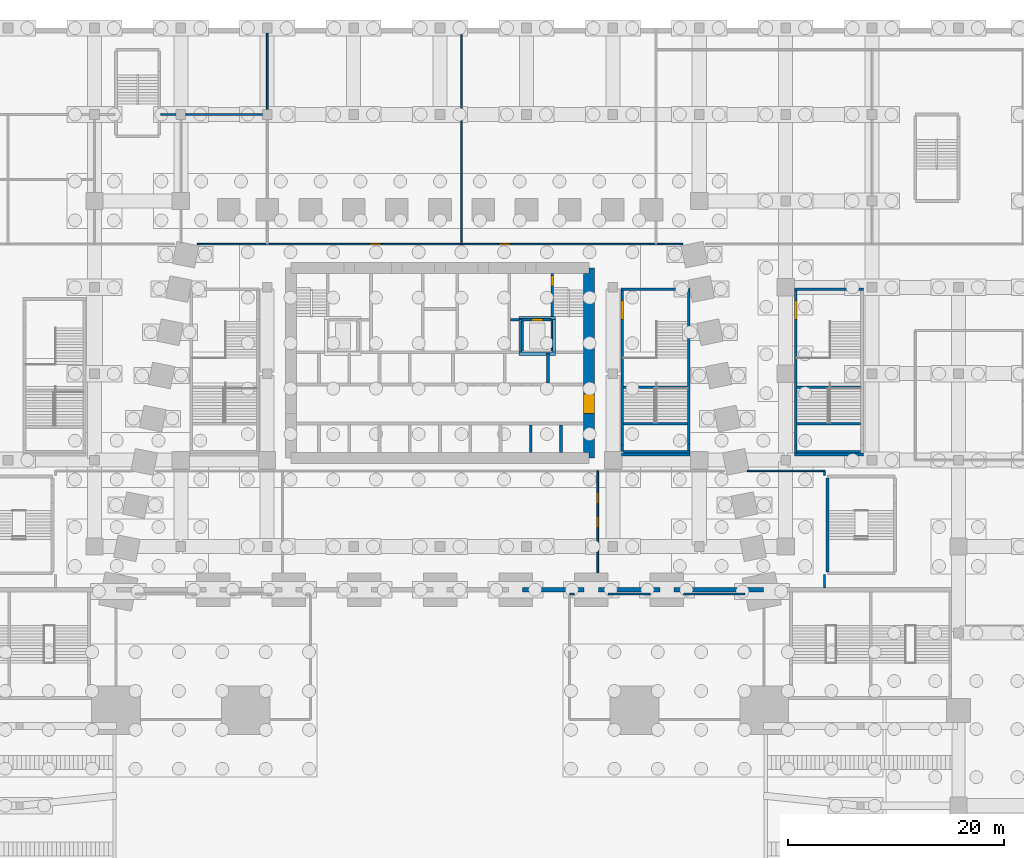
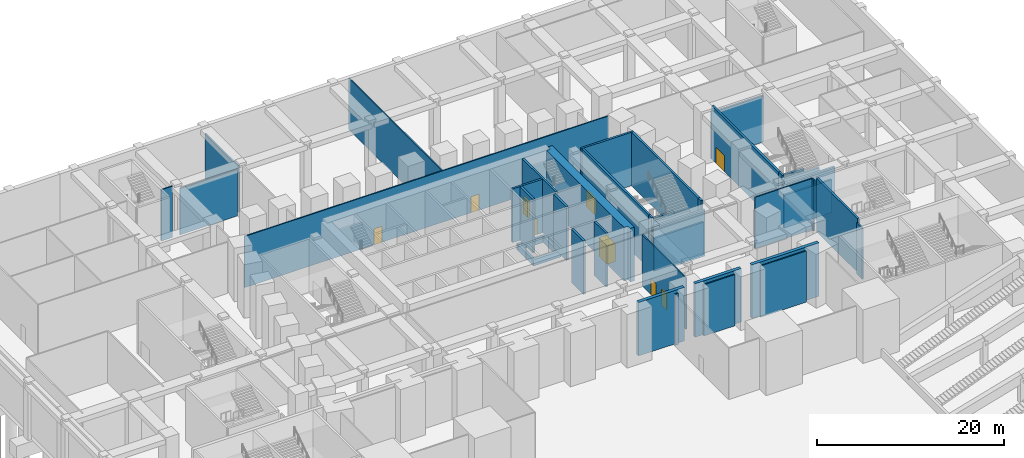
# One storey, part 12 of 30: 43 walls, 9 doors, 9 openings.
"""IFC4 building model written with IfcOpenShell, lengths in metres."""

import ifcopenshell
import ifcopenshell.guid

model = None  # the IFC model being written
_history = None  # IfcOwnerHistory: only IFC2X3 demands one
_inside = {}  # id of a spatial element -> (the spatial element, [elements in it])
_under = {}  # id of a project, library or spatial element -> (it, [spatial elements below it])
_declared = {}  # id of a project -> (the project, [libraries it declares])
_typed = {}  # id of a type object -> (the type object, [elements of that type])
_made_of = {}  # id of a material, layer set ... -> (it, [elements and type objects made of it])


def new_model(schema):
    """Start an empty IFC model of exactly this schema.

    Asked for "IFC4X3", IfcOpenShell would pick the latest addendum, in which some entities
    have other attributes; the version numbers below select the first issue.
    IFC2X3 requires an IfcOwnerHistory on every rooted entity: one is made here for all.
    """
    global model, _history
    if schema == "IFC4X3":
        model = ifcopenshell.file(schema_version=(4, 3, 0, 0))
    else:
        model = ifcopenshell.file(schema=schema)
    _inside.clear()
    _under.clear()
    _declared.clear()
    _typed.clear()
    _made_of.clear()
    _history = None
    if model.schema == "IFC2X3":
        org = make("IfcOrganization", Name="unknown")
        user = make(
            "IfcPersonAndOrganization",
            ThePerson=make("IfcPerson", FamilyName="unknown"),
            TheOrganization=org,
        )
        app = make(
            "IfcApplication",
            ApplicationDeveloper=org,
            Version="unknown",
            ApplicationFullName="unknown",
            ApplicationIdentifier="unknown",
        )
        _history = make(
            "IfcOwnerHistory",
            OwningUser=user,
            OwningApplication=app,
            ChangeAction="ADDED",
            CreationDate=0,
        )
    return model


def make(cls, **values):
    """One entity of the class cls with the attributes given. An attribute that is None is left unset."""
    return model.create_entity(
        cls, **{name: value for name, value in values.items() if value is not None}
    )


def rooted(cls, **values):
    """An entity with a GlobalId (a new one), such as an element, a storey or a relation."""
    return make(cls, GlobalId=ifcopenshell.guid.new(), OwnerHistory=_history, **values)


def si_unit(unit_type, name, prefix=None):
    """IfcSIUnit, for example si_unit("LENGTHUNIT", "METRE", prefix="MILLI")."""
    return make("IfcSIUnit", UnitType=unit_type, Prefix=prefix, Name=name)


def assignment(units):
    """IfcUnitAssignment: the units of a project."""
    return None if units is None else make("IfcUnitAssignment", Units=units)


def point(xyz):
    """IfcCartesianPoint."""
    return None if xyz is None else make("IfcCartesianPoint", Coordinates=xyz)


def direction(xyz):
    """IfcDirection."""
    return None if xyz is None else make("IfcDirection", DirectionRatios=xyz)


def frame(location, z_axis=None, x_axis=None):
    """IfcAxis2Placement3D, a coordinate frame: its origin and axes. An axis left out is left unset."""
    return make(
        "IfcAxis2Placement3D",
        Location=point(location),
        Axis=direction(z_axis),
        RefDirection=direction(x_axis),
    )


def frame_2d(location, x_axis=None):
    """IfcAxis2Placement2D, a coordinate frame in the plane: its origin and x axis."""
    return make(
        "IfcAxis2Placement2D", Location=point(location), RefDirection=direction(x_axis)
    )


def origin():
    """The frame at (0, 0, 0) with its axes left unset."""
    return frame((0.0, 0.0, 0.0))


def place(relative_to, where):
    """IfcLocalPlacement: puts the frame where relative to a parent placement (None: the world)."""
    return make(
        "IfcLocalPlacement", PlacementRelTo=relative_to, RelativePlacement=where
    )


def context(
    kind, dimensions, precision=None, world=None, true_north=None, identifier=None
):
    """IfcGeometricRepresentationContext, for example the 3D "Model" context."""
    return make(
        "IfcGeometricRepresentationContext",
        ContextIdentifier=identifier,
        ContextType=kind,
        CoordinateSpaceDimension=dimensions,
        Precision=precision,
        WorldCoordinateSystem=world,
        TrueNorth=true_north,
    )


def subcontext(parent, identifier, kind, view, scale=None):
    """IfcGeometricRepresentationSubContext, for example "Body" below "Model"."""
    return make(
        "IfcGeometricRepresentationSubContext",
        ContextIdentifier=identifier,
        ContextType=kind,
        ParentContext=parent,
        TargetScale=scale,
        TargetView=view,
    )


def project(units=None, contexts=None):
    """IfcProject with its units and contexts."""
    return rooted(
        "IfcProject",
        Name="project",
        RepresentationContexts=contexts,
        UnitsInContext=assignment(units),
    )


def spatial(cls, under=None, at=None, **own):
    """A site, building, storey or space (cls), placed at a placement, below another one or the project."""
    s = rooted(cls, ObjectPlacement=at, **own)
    if under is not None:
        _under.setdefault(under.id(), (under, []))[1].append(s)
    return s


def polyline(points):
    """IfcPolyline through the points."""
    return make("IfcPolyline", Points=[point(p) for p in points])


def profile(cls, at=None, kind="AREA", **sizes):
    """A parametric profile (cls). Its sizes go by their IFC names, for example OverallWidth=200.0."""
    return make(cls, ProfileType=kind, Position=at, **sizes)


def rectangle(**sizes):
    """IfcRectangleProfileDef."""
    return profile("IfcRectangleProfileDef", **sizes)


def outline(outer, holes=None, kind="AREA"):
    """IfcArbitraryClosedProfileDef: a profile drawn as a closed curve; with holes, ...WithVoids."""
    if holes is None:
        return make("IfcArbitraryClosedProfileDef", ProfileType=kind, OuterCurve=outer)
    return make(
        "IfcArbitraryProfileDefWithVoids",
        ProfileType=kind,
        OuterCurve=outer,
        InnerCurves=holes,
    )


def extrude(swept, where, along, depth):
    """IfcExtrudedAreaSolid: the profile swept, set in the frame where, extruded along a direction by depth."""
    return make(
        "IfcExtrudedAreaSolid",
        SweptArea=swept,
        Position=where,
        ExtrudedDirection=direction(along),
        Depth=depth,
    )


def shape(context_of_items, identifier, shape_type, items):
    """IfcShapeRepresentation: the items that make up one representation, for example the "Body"."""
    return make(
        "IfcShapeRepresentation",
        ContextOfItems=context_of_items,
        RepresentationIdentifier=identifier,
        RepresentationType=shape_type,
        Items=items,
    )


def material(Name=None, Category=None):
    """IfcMaterial."""
    return make("IfcMaterial", Name=Name, Category=Category)


def layer(
    of_material, thickness, ventilated=None, Name=None, Category=None, Priority=None
):
    """IfcMaterialLayer: one layer of a wall or slab, of a material (None: an air gap)."""
    return make(
        "IfcMaterialLayer",
        Material=of_material,
        LayerThickness=thickness,
        IsVentilated=ventilated,
        Name=Name,
        Category=Category,
        Priority=Priority,
    )


def layer_set(layers, Name=None):
    """IfcMaterialLayerSet."""
    return make("IfcMaterialLayerSet", MaterialLayers=layers, LayerSetName=Name)


def made_of(thing, what):
    """Note that an element or type object is made of a material, layer set ...; save() writes the relation."""
    if what is not None:
        _made_of.setdefault(what.id(), (what, []))[1].append(thing)
    return thing


def type_object(cls, material=None, **own):
    """A type object (cls), such as IfcWallType, which elements share."""
    return made_of(rooted(cls, **own), material)


def element(
    cls,
    number,
    at=None,
    inside=None,
    cuts=None,
    type_object=None,
    material=None,
    context=None,
    identifier="Body",
    shape_type=None,
    held_by="IfcProductDefinitionShape",
    body=None,
    shapes=None,
    **own,
):
    """One element of the class cls, such as IfcWall. Its Tag is "e" and its number.

    at: its placement. inside: the storey or other place that contains it. cuts: it is an
    opening in that element (IfcRelVoidsElement). A single representation is given by context,
    identifier, shape_type and body (its items); several are given by shapes. held_by: the class
    of the entity that holds the representations. save() writes the other relations.
    """
    e = rooted(cls, Tag="e%d" % number, ObjectPlacement=at, **own)
    if body is not None:
        shapes = [shape(context, identifier, shape_type, body)]
    if shapes is not None:
        e.Representation = make(held_by, Representations=shapes)
    if inside is not None:
        _inside.setdefault(inside.id(), (inside, []))[1].append(e)
    if cuts is not None:
        rooted(
            "IfcRelVoidsElement", RelatingBuildingElement=cuts, RelatedOpeningElement=e
        )
    if type_object is not None:
        _typed.setdefault(type_object.id(), (type_object, []))[1].append(e)
    return made_of(e, material)


def fill(opening, filler):
    """IfcRelFillsElement: the door or window that sits in an opening."""
    return rooted(
        "IfcRelFillsElement",
        RelatingOpeningElement=opening,
        RelatedBuildingElement=filler,
    )


def aggregate(whole, parts):
    """IfcRelAggregates: a whole, such as a stair, and the parts it consists of."""
    return rooted("IfcRelAggregates", RelatingObject=whole, RelatedObjects=parts)


def save(model, path):
    """Write the relations noted so far, then the file.

    IfcRelAggregates (storeys below a building ...), IfcRelContainedInSpatialStructure (elements
    in a storey), IfcRelDefinesByType, IfcRelAssociatesMaterial and IfcRelDeclares: one each for
    every whole, place, type object, material and project.
    """
    for whole, parts in _under.values():
        aggregate(whole, parts)
    for where, things in _inside.values():
        rooted(
            "IfcRelContainedInSpatialStructure",
            RelatedElements=things,
            RelatingStructure=where,
        )
    for kind, things in _typed.values():
        rooted("IfcRelDefinesByType", RelatedObjects=things, RelatingType=kind)
    for what, things in _made_of.values():
        rooted("IfcRelAssociatesMaterial", RelatedObjects=things, RelatingMaterial=what)
    for by, libraries in _declared.values():
        rooted("IfcRelDeclares", RelatingContext=by, RelatedDefinitions=libraries)
    model.write(path)


model = new_model("IFC4")

# Units and contexts
model_context = context("Model", 3, precision=1e-05, world=origin(), true_north=direction((0.0, 1.0)))
body_context = subcontext(model_context, "Body", "Model", "MODEL_VIEW")
ifc_project = project(units=[si_unit("LENGTHUNIT", "METRE"), si_unit("AREAUNIT", "SQUARE_METRE"), si_unit("VOLUMEUNIT", "CUBIC_METRE"), si_unit("PLANEANGLEUNIT", "RADIAN"), si_unit("MASSUNIT", "GRAM", prefix="KILO")], contexts=[model_context])

# Site, building, storey
site_placement = place(None, origin())
site = spatial("IfcSite", under=ifc_project, at=site_placement, CompositionType="ELEMENT")
building_placement = place(site_placement, origin())
building = spatial("IfcBuilding", under=site, at=building_placement, Name="Isbrekke Arena Tower", CompositionType="ELEMENT")
storey_placement = place(building_placement, frame((0.0, 0.0, -7.0)))
storey = spatial("IfcBuildingStorey", under=building, at=storey_placement, Name="B1", CompositionType="ELEMENT", Elevation=-7.0)

# Walls
ifc_material_1 = material(Name="Concrete B45 (C45/55)", Category="concrete")
ifc_layer_1 = layer(ifc_material_1, 0.39990234375)
ifc_layer_set_1 = layer_set([ifc_layer_1], Name="AW1 ARENA WALL 400")
wall_type_1 = type_object("IfcWallType", Name="AW1 ARENA WALL 400", PredefinedType="SHEAR", material=ifc_layer_set_1)
for number, where, z_axis, x_axis, name in (
    (1, (7.64990234375, -6.0, 0.0), (0.0, 0.0, 1.0), (1.0, 0.0, 0.0), "Arena north wall 7"),
    (2, (14.64990234375, -6.0, 0.0), (0.0, 0.0, 1.0), (1.0, 0.0, 0.0), "Arena north wall 8"),
):
    element("IfcWall", number, at=place(storey_placement, frame(where, z_axis=z_axis, x_axis=x_axis)), inside=storey, type_object=wall_type_1, Name=name, PredefinedType="SHEAR", context=body_context, shape_type="SweptSolid", body=[
        extrude(rectangle(XDim=5.7001953125, YDim=0.39990234375, at=frame_2d((2.85009765625, 0.0))), origin(), (0.0, 0.0, 1.0), 7.0),
    ])
wall_1_placement = place(storey_placement, frame((21.64990234375, -6.0, 0.0), z_axis=(0.0, 0.0, 1.0), x_axis=(1.0, 0.0, 0.0)))
element("IfcWall", 3, at=wall_1_placement, inside=storey, type_object=wall_type_1, Name="Arena north wall 9", PredefinedType="SHEAR", context=body_context, shape_type="SweptSolid", body=[
    extrude(rectangle(XDim=8.300048828125, YDim=0.39990234375, at=frame_2d((4.14990234375, 0.0))), origin(), (0.0, 0.0, 1.0), 7.0),
])

# Wall, opening, door
ifc_material_2 = material(Name="Concrete B65 (C65/80)", Category="concrete")
ifc_layer_2 = layer(ifc_material_2, 1.0)
ifc_layer_set_2 = layer_set([ifc_layer_2], Name="CW1 CORE WALL 1000")
wall_type_2 = type_object("IfcWallType", Name="CW1 CORE WALL 1000", PredefinedType="SHEAR", material=ifc_layer_set_2)
wall_2_placement = place(storey_placement, frame((13.800048828125, 6.199951171875, 0.0), z_axis=(0.0, 0.0, 1.0), x_axis=(0.0, 1.0, 0.0)))
wall_2 = element("IfcWall", 4, at=wall_2_placement, inside=storey, type_object=wall_type_2, Name="Core wall E B1", PredefinedType="SHEAR", context=body_context, shape_type="SweptSolid", body=[
    extrude(outline(polyline([(0.0, -0.5), (17.60009765625, -0.5), (17.60009765625, 0.0), (17.10009765625, 0.0), (17.10009765625, 0.5), (0.5, 0.5), (0.5, 0.0), (0.0, 0.0), (0.0, -0.5)])), origin(), (0.0, 0.0, 1.0), 7.0),
])
opening_1_placement = place(wall_2_placement, frame((4.10009765625, 0.0, 0.0)))
opening_1 = element("IfcOpeningElement", 5, at=opening_1_placement, cuts=wall_2, Name="Opening D1", PredefinedType="OPENING", context=body_context, shape_type="SweptSolid", body=[
    extrude(rectangle(XDim=1.800048828125, YDim=2.39990234375, at=frame_2d((0.89990234375, 1.199951171875))), frame((0.0, 0.514892578125, 0.0), z_axis=(0.0, -1.0, 0.0), x_axis=(1.0, 0.0, 0.0)), (0.0, 0.0, 1.0), 1.02978515625),
])
ifc_material_3 = material(Name="Steel-framed glazed fire door", Category="steel")
door_type_1 = type_object("IfcDoorType", Name="D1 CORE LOBBY DOOR 1800 x 2400", OperationType="DOUBLE_DOOR_SINGLE_SWING", PredefinedType="DOOR", material=ifc_material_3)
door_1_placement = place(opening_1_placement, origin())
door_1 = element("IfcDoor", 6, at=door_1_placement, inside=storey, type_object=door_type_1, Name="D1 lift lobby door east B1", OperationType="DOUBLE_DOOR_SINGLE_SWING", OverallHeight=2.39990234375, OverallWidth=1.800048828125, PredefinedType="DOOR", context=body_context, shape_type="SweptSolid", body=[
    extrude(rectangle(XDim=1.800048828125, YDim=2.39990234375, at=frame_2d((0.89990234375, 1.199951171875))), frame((0.0, 0.499755859375, 0.0), z_axis=(0.0, -1.0, 0.0), x_axis=(1.0, 0.0, 0.0)), (0.0, 0.0, 1.0), 0.99951171875),
])
fill(opening_1, door_1)

# Walls
ifc_material_4 = material(Name="Concrete B45 (C45/55)", Category="concrete")
ifc_layer_3 = layer(ifc_material_4, 0.25)
ifc_layer_set_3 = layer_set([ifc_layer_3], Name="CW6 SHAFT WALL 250")
wall_type_3 = type_object("IfcWallType", Name="CW6 SHAFT WALL 250", PredefinedType="SHEAR", material=ifc_layer_set_3)
for number, where, z_axis, x_axis, name in (
    (7, (8.39990234375, 6.699951171875, 0.0), (0.0, 0.0, 1.0), (0.0, 1.0, 0.0), "Core wall SS08 B1"),
    (8, (11.199951171875, 6.699951171875, 0.0), (0.0, 0.0, 1.0), (0.0, 1.0, 0.0), "Core wall SS09 B1"),
):
    element("IfcWall", number, at=place(storey_placement, frame(where, z_axis=z_axis, x_axis=x_axis)), inside=storey, type_object=wall_type_3, Name=name, PredefinedType="SHEAR", context=body_context, shape_type="SweptSolid", body=[
        extrude(rectangle(XDim=2.574951171875, YDim=0.25, at=frame_2d((1.28759765625, 0.0))), origin(), (0.0, 0.0, 1.0), 7.0),
    ])
wall_3_placement = place(storey_placement, frame((10.0, 13.125, 0.0), z_axis=(0.0, 0.0, 1.0), x_axis=(0.0, 1.0, 0.0)))
element("IfcWall", 9, at=wall_3_placement, inside=storey, type_object=wall_type_3, Name="Core wall SN07 B1", PredefinedType="SHEAR", context=body_context, shape_type="SweptSolid", body=[
    extrude(rectangle(XDim=2.75, YDim=0.25, at=frame_2d((1.375, 0.0))), origin(), (0.0, 0.0, 1.0), 7.0),
])

# Wall, opening, door
wall_4_placement = place(storey_placement, frame((10.39990234375, 16.125, 0.0), z_axis=(0.0, 0.0, 1.0), x_axis=(0.0, 1.0, 0.0)))
wall_4 = element("IfcWall", 10, at=wall_4_placement, inside=storey, type_object=wall_type_3, Name="Core wall NV06 B1", PredefinedType="SHEAR", context=body_context, shape_type="SweptSolid", body=[
    extrude(rectangle(XDim=7.175048828125, YDim=0.25, at=frame_2d((3.58740234375, 0.0))), origin(), (0.0, 0.0, 1.0), 7.0),
])
opening_2_placement = place(wall_4_placement, frame((5.97509765625, 0.0, 0.0)))
opening_2 = element("IfcOpeningElement", 11, at=opening_2_placement, cuts=wall_4, Name="Opening D2", PredefinedType="OPENING", context=body_context, shape_type="SweptSolid", body=[
    extrude(rectangle(XDim=1.0, YDim=2.10009765625, at=frame_2d((0.5, 1.050048828125))), frame((0.0, 0.139892578125, 0.0), z_axis=(0.0, -1.0, 0.0), x_axis=(1.0, 0.0, 0.0)), (0.0, 0.0, 1.0), 0.27978515625),
])
ifc_material_5 = material(Name="Steel fire door", Category="steel")
door_type_2 = type_object("IfcDoorType", Name="D2 STAIR DOOR 1000 x 2100", OperationType="SINGLE_SWING_LEFT", PredefinedType="DOOR", material=ifc_material_5)
door_2_placement = place(opening_2_placement, origin())
door_2 = element("IfcDoor", 12, at=door_2_placement, inside=storey, type_object=door_type_2, Name="D2 stair door ST2 B1", OperationType="SINGLE_SWING_LEFT", OverallHeight=2.10009765625, OverallWidth=1.0, PredefinedType="DOOR", context=body_context, shape_type="SweptSolid", body=[
    extrude(rectangle(XDim=1.0, YDim=2.10009765625, at=frame_2d((0.5, 1.050048828125))), frame((0.0, 0.124755859375, 0.0), z_axis=(0.0, -1.0, 0.0), x_axis=(1.0, 0.0, 0.0)), (0.0, 0.0, 1.0), 0.24951171875),
])
fill(opening_2, door_2)

wall_5_placement = place(storey_placement, frame((6.52490234375, 19.0, 0.0), z_axis=(0.0, 0.0, 1.0), x_axis=(1.0, 0.0, 0.0)))
wall_5 = element("IfcWall", 13, at=wall_5_placement, inside=storey, type_object=wall_type_3, Name="Core wall NFE B1", PredefinedType="SHEAR", context=body_context, shape_type="SweptSolid", body=[
    extrude(rectangle(XDim=3.75, YDim=0.25, at=frame_2d((1.875, 0.0))), origin(), (0.0, 0.0, 1.0), 7.0),
])
opening_3_placement = place(wall_5_placement, frame((1.925048828125, 0.0, 0.0)))
opening_3 = element("IfcOpeningElement", 14, at=opening_3_placement, cuts=wall_5, Name="Opening LD2", PredefinedType="OPENING", context=body_context, shape_type="SweptSolid", body=[
    extrude(rectangle(XDim=1.10009765625, YDim=2.10009765625, at=frame_2d((0.550048828125, 1.050048828125))), frame((0.0, 0.139892578125, 0.0), z_axis=(0.0, -1.0, 0.0), x_axis=(1.0, 0.0, 0.0)), (0.0, 0.0, 1.0), 0.27978515625),
])
ifc_material_6 = material(Name="Stainless steel lift landing door", Category="steel")
door_type_3 = type_object("IfcDoorType", Name="LD2 FIRE-FIGHTING LIFT LANDING DOOR 1100 x 2100", OperationType="SLIDING_TO_RIGHT", PredefinedType="DOOR", material=ifc_material_6)
door_3_placement = place(opening_3_placement, origin())
door_3 = element("IfcDoor", 15, at=door_3_placement, inside=storey, type_object=door_type_3, Name="LD2 lift landing door LF B1", OperationType="SLIDING_TO_RIGHT", OverallHeight=2.10009765625, OverallWidth=1.10009765625, PredefinedType="DOOR", context=body_context, shape_type="SweptSolid", body=[
    extrude(rectangle(XDim=1.10009765625, YDim=2.10009765625, at=frame_2d((0.550048828125, 1.050048828125))), frame((0.0, 0.124755859375, 0.0), z_axis=(0.0, -1.0, 0.0), x_axis=(1.0, 0.0, 0.0)), (0.0, 0.0, 1.0), 0.24951171875),
])
fill(opening_3, door_3)

# Walls
wall_6_placement = place(storey_placement, frame((7.60009765625, 16.125, 0.0), z_axis=(0.0, 0.0, 1.0), x_axis=(0.0, 1.0, 0.0)))
element("IfcWall", 16, at=wall_6_placement, inside=storey, type_object=wall_type_3, Name="Core wall NFS2 B1", PredefinedType="SHEAR", context=body_context, shape_type="SweptSolid", body=[
    extrude(rectangle(XDim=2.75, YDim=0.25, at=frame_2d((1.375, 0.0))), origin(), (0.0, 0.0, 1.0), 7.0),
])
ifc_material_7 = material(Name="Gypsum board partition on steel studs", Category="steel")
ifc_layer_4 = layer(ifc_material_7, 0.14990234375)
ifc_layer_set_4 = layer_set([ifc_layer_4], Name="IW1 PARTITION 150")
wall_type_4 = type_object("IfcWallType", Name="IW1 PARTITION 150", PredefinedType="PARTITIONING", material=ifc_layer_set_4)
wall_7_placement = place(storey_placement, frame((-16.0, 38.4599609375, 0.0), z_axis=(0.0, 0.0, 1.0), x_axis=(0.0, 1.0, 0.0)))
element("IfcWall", 17, at=wall_7_placement, inside=storey, type_object=wall_type_4, Name="IW1 partition B1", PredefinedType="PARTITIONING", context=body_context, shape_type="SweptSolid", body=[
    extrude(rectangle(XDim=7.080078125, YDim=0.14990234375, at=frame_2d((3.5400390625, 0.0))), origin(), (0.0, 0.0, 1.0), 6.050048828125),
])
wall_8_placement = place(storey_placement, frame((2.0, 26.0, 0.0), z_axis=(0.0, 0.0, 1.0), x_axis=(0.0, 1.0, 0.0)))
element("IfcWall", 18, at=wall_8_placement, inside=storey, type_object=wall_type_4, Name="IW1 partition B1", PredefinedType="PARTITIONING", context=body_context, shape_type="SweptSolid", body=[
    extrude(rectangle(XDim=20.0, YDim=0.14990234375, at=frame_2d((10.0, 0.0))), origin(), (0.0, 0.0, 1.0), 6.699951171875),
])

# Wall, openings, doors
wall_9_placement = place(storey_placement, frame((14.60009765625, -4.43994140625, 0.0), z_axis=(0.0, 0.0, 1.0), x_axis=(0.0, 1.0, 0.0)))
wall_9 = element("IfcWall", 19, at=wall_9_placement, inside=storey, type_object=wall_type_4, Name="IW1 partition B1", PredefinedType="PARTITIONING", context=body_context, shape_type="SweptSolid", body=[
    extrude(rectangle(XDim=9.43994140625, YDim=0.14990234375, at=frame_2d((4.719970703125, 0.0))), origin(), (0.0, 0.0, 1.0), 6.699951171875),
])
opening_4_placement = place(wall_9_placement, frame((4.219970703125, 0.0, 0.0)))
opening_4 = element("IfcOpeningElement", 20, at=opening_4_placement, cuts=wall_9, Name="Opening D6", PredefinedType="OPENING", context=body_context, shape_type="SweptSolid", body=[
    extrude(rectangle(XDim=1.0, YDim=2.10009765625, at=frame_2d((0.5, 1.050048828125))), frame((0.0, 0.08984375, 0.0), z_axis=(0.0, -1.0, 0.0), x_axis=(1.0, 0.0, 0.0)), (0.0, 0.0, 1.0), 0.1796875),
])
opening_5_placement = place(wall_9_placement, frame((6.43994140625, 0.0, 0.0)))
opening_5 = element("IfcOpeningElement", 21, at=opening_5_placement, cuts=wall_9, Name="Opening D6", PredefinedType="OPENING", context=body_context, shape_type="SweptSolid", body=[
    extrude(rectangle(XDim=1.0, YDim=2.10009765625, at=frame_2d((0.5, 1.050048828125))), frame((0.0, 0.08984375, 0.0), z_axis=(0.0, -1.0, 0.0), x_axis=(1.0, 0.0, 0.0)), (0.0, 0.0, 1.0), 0.1796875),
])
ifc_material_8 = material(Name="Timber door", Category="wood")
door_type_4 = type_object("IfcDoorType", Name="D6 ROOM DOOR 1000 x 2100", OperationType="SINGLE_SWING_LEFT", PredefinedType="DOOR", material=ifc_material_8)
door_4_placement = place(opening_4_placement, origin())
door_4 = element("IfcDoor", 22, at=door_4_placement, inside=storey, type_object=door_type_4, Name="D6 door B1-20", OperationType="SINGLE_SWING_LEFT", OverallHeight=2.10009765625, OverallWidth=1.0, PredefinedType="DOOR", context=body_context, shape_type="SweptSolid", body=[
    extrude(rectangle(XDim=1.0, YDim=2.10009765625, at=frame_2d((0.5, 1.050048828125))), frame((0.0, 0.07470703125, 0.0), z_axis=(0.0, -1.0, 0.0), x_axis=(1.0, 0.0, 0.0)), (0.0, 0.0, 1.0), 0.1494140625),
])
fill(opening_4, door_4)
door_5_placement = place(opening_5_placement, origin())
door_5 = element("IfcDoor", 23, at=door_5_placement, inside=storey, type_object=door_type_4, Name="D6 door B1-24", OperationType="SINGLE_SWING_LEFT", OverallHeight=2.10009765625, OverallWidth=1.0, PredefinedType="DOOR", context=body_context, shape_type="SweptSolid", body=[
    extrude(rectangle(XDim=1.0, YDim=2.10009765625, at=frame_2d((0.5, 1.050048828125))), frame((0.0, 0.07470703125, 0.0), z_axis=(0.0, -1.0, 0.0), x_axis=(1.0, 0.0, 0.0)), (0.0, 0.0, 1.0), 0.1494140625),
])
fill(opening_5, door_5)

# Walls
wall_10_placement = place(storey_placement, frame((35.60009765625, -5.800048828125, 0.0), z_axis=(0.0, 0.0, 1.0), x_axis=(0.0, 1.0, 0.0)))
element("IfcWall", 24, at=wall_10_placement, inside=storey, type_object=wall_type_4, Name="IW1 partition B1", PredefinedType="PARTITIONING", context=body_context, shape_type="SweptSolid", body=[
    extrude(rectangle(XDim=1.199951171875, YDim=0.14990234375, at=frame_2d((0.60009765625, 0.0))), origin(), (0.0, 0.0, 1.0), 6.699951171875),
])
wall_11_placement = place(storey_placement, frame((35.60009765625, 4.60009765625, 0.0), z_axis=(0.0, 0.0, 1.0), x_axis=(0.0, 1.0, 0.0)))
element("IfcWall", 25, at=wall_11_placement, inside=storey, type_object=wall_type_4, Name="IW1 partition B1", PredefinedType="PARTITIONING", context=body_context, shape_type="SweptSolid", body=[
    extrude(rectangle(XDim=0.39990234375, YDim=0.14990234375, at=frame_2d((0.199951171875, 0.0))), origin(), (0.0, 0.0, 1.0), 6.699951171875),
])
wall_12_placement = place(storey_placement, frame((12.0, -6.39990234375, 0.0), z_axis=(0.0, 0.0, 1.0), x_axis=(1.0, 0.0, 0.0)))
element("IfcWall", 26, at=wall_12_placement, inside=storey, type_object=wall_type_4, Name="IW1 partition B1", PredefinedType="PARTITIONING", context=body_context, shape_type="SweptSolid", body=[
    extrude(rectangle(XDim=0.43994140625, YDim=0.14990234375, at=frame_2d((0.219970703125, 0.0))), origin(), (0.0, 0.0, 1.0), 6.699951171875),
])
wall_13_placement = place(storey_placement, frame((15.56005859375, -6.39990234375, 0.0), z_axis=(0.0, 0.0, 1.0), x_axis=(1.0, 0.0, 0.0)))
element("IfcWall", 27, at=wall_13_placement, inside=storey, type_object=wall_type_4, Name="IW1 partition B1", PredefinedType="PARTITIONING", context=body_context, shape_type="SweptSolid", body=[
    extrude(rectangle(XDim=3.8798828125, YDim=0.14990234375, at=frame_2d((1.93994140625, 0.0))), origin(), (0.0, 0.0, 1.0), 6.699951171875),
])
wall_14_placement = place(storey_placement, frame((22.56005859375, -6.39990234375, 0.0), z_axis=(0.0, 0.0, 1.0), x_axis=(1.0, 0.0, 0.0)))
element("IfcWall", 28, at=wall_14_placement, inside=storey, type_object=wall_type_4, Name="IW1 partition B1", PredefinedType="PARTITIONING", context=body_context, shape_type="SweptSolid", body=[
    extrude(rectangle(XDim=5.6708984375, YDim=0.14990234375, at=frame_2d((2.83544921875, 0.0))), origin(), (0.0, 0.0, 1.0), 6.699951171875),
])
wall_15_placement = place(storey_placement, frame((28.450927734375, 5.0, 0.0), z_axis=(0.0, 0.0, 1.0), x_axis=(1.0, 0.0, 0.0)))
element("IfcWall", 29, at=wall_15_placement, inside=storey, type_object=wall_type_4, Name="IW1 partition B1", PredefinedType="PARTITIONING", context=body_context, shape_type="SweptSolid", body=[
    extrude(rectangle(XDim=7.149169921875, YDim=0.14990234375, at=frame_2d((3.57470703125, 0.0))), origin(), (0.0, 0.0, 1.0), 6.699951171875),
])

# Wall, openings, doors
wall_16_placement = place(storey_placement, frame((-22.492919921875, 26.0, 0.0), z_axis=(0.0, 0.0, 1.0), x_axis=(1.0, 0.0, 0.0)))
wall_16 = element("IfcWall", 30, at=wall_16_placement, inside=storey, type_object=wall_type_4, Name="IW1 partition B1", PredefinedType="PARTITIONING", context=body_context, shape_type="SweptSolid", body=[
    extrude(rectangle(XDim=44.98583984375, YDim=0.14990234375, at=frame_2d((22.492919921875, 0.0))), origin(), (0.0, 0.0, 1.0), 6.699951171875),
])
opening_6_placement = place(wall_16_placement, frame((15.992919921875, 0.0, 0.0)))
opening_6 = element("IfcOpeningElement", 31, at=opening_6_placement, cuts=wall_16, Name="Opening D6", PredefinedType="OPENING", context=body_context, shape_type="SweptSolid", body=[
    extrude(rectangle(XDim=1.0, YDim=2.10009765625, at=frame_2d((0.5, 1.050048828125))), frame((0.0, 0.08984375, 0.0), z_axis=(0.0, -1.0, 0.0), x_axis=(1.0, 0.0, 0.0)), (0.0, 0.0, 1.0), 0.1796875),
])
opening_7_placement = place(wall_16_placement, frame((27.992919921875, 0.0, 0.0)))
opening_7 = element("IfcOpeningElement", 32, at=opening_7_placement, cuts=wall_16, Name="Opening D6", PredefinedType="OPENING", context=body_context, shape_type="SweptSolid", body=[
    extrude(rectangle(XDim=1.0, YDim=2.10009765625, at=frame_2d((0.5, 1.050048828125))), frame((0.0, 0.08984375, 0.0), z_axis=(0.0, -1.0, 0.0), x_axis=(1.0, 0.0, 0.0)), (0.0, 0.0, 1.0), 0.1796875),
])
door_6_placement = place(opening_6_placement, origin())
door_6 = element("IfcDoor", 33, at=door_6_placement, inside=storey, type_object=door_type_4, Name="D6 door B1-25", OperationType="SINGLE_SWING_LEFT", OverallHeight=2.10009765625, OverallWidth=1.0, PredefinedType="DOOR", context=body_context, shape_type="SweptSolid", body=[
    extrude(rectangle(XDim=1.0, YDim=2.10009765625, at=frame_2d((0.5, 1.050048828125))), frame((0.0, 0.07470703125, 0.0), z_axis=(0.0, -1.0, 0.0), x_axis=(1.0, 0.0, 0.0)), (0.0, 0.0, 1.0), 0.1494140625),
])
fill(opening_6, door_6)
door_7_placement = place(opening_7_placement, origin())
door_7 = element("IfcDoor", 34, at=door_7_placement, inside=storey, type_object=door_type_4, Name="D6 door B1-26", OperationType="SINGLE_SWING_LEFT", OverallHeight=2.10009765625, OverallWidth=1.0, PredefinedType="DOOR", context=body_context, shape_type="SweptSolid", body=[
    extrude(rectangle(XDim=1.0, YDim=2.10009765625, at=frame_2d((0.5, 1.050048828125))), frame((0.0, 0.07470703125, 0.0), z_axis=(0.0, -1.0, 0.0), x_axis=(1.0, 0.0, 0.0)), (0.0, 0.0, 1.0), 0.1494140625),
])
fill(opening_7, door_7)

# Walls
wall_17_placement = place(storey_placement, frame((-25.875, 38.0, 0.0), z_axis=(0.0, 0.0, 1.0), x_axis=(1.0, 0.0, 0.0)))
element("IfcWall", 35, at=wall_17_placement, inside=storey, type_object=wall_type_4, Name="IW1 partition B1", PredefinedType="PARTITIONING", context=body_context, shape_type="SweptSolid", body=[
    extrude(rectangle(XDim=1.4150390625, YDim=0.14990234375, at=frame_2d((0.70751953125, 0.0))), origin(), (0.0, 0.0, 1.0), 6.699951171875),
])
wall_18_placement = place(storey_placement, frame((-23.5400390625, 38.0, 0.0), z_axis=(0.0, 0.0, 1.0), x_axis=(1.0, 0.0, 0.0)))
element("IfcWall", 36, at=wall_18_placement, inside=storey, type_object=wall_type_4, Name="IW1 partition B1", PredefinedType="PARTITIONING", context=body_context, shape_type="SweptSolid", body=[
    extrude(rectangle(XDim=7.080078125, YDim=0.14990234375, at=frame_2d((3.5400390625, 0.0))), origin(), (0.0, 0.0, 1.0), 6.050048828125),
])
ifc_material_9 = material(Name="Concrete B45 (C45/55)", Category="concrete")
ifc_layer_5 = layer(ifc_material_9, 0.300048828125)
ifc_layer_set_5 = layer_set([ifc_layer_5], Name="PW2 LIFT PIT WALL 300")
wall_type_5 = type_object("IfcWallType", Name="PW2 LIFT PIT WALL 300", PredefinedType="SHEAR", material=ifc_layer_set_5)
for number, where, z_axis, x_axis, name in (
    (37, (7.300048828125, 15.85009765625, -1.39990234375), (0.0, 0.0, 1.0), (1.0, 0.0, 0.0), "PW2 lift pit wall F1 S"),
    (38, (7.300048828125, 19.14990234375, -1.39990234375), (0.0, 0.0, 1.0), (1.0, 0.0, 0.0), "PW2 lift pit wall F1 N"),
):
    element("IfcWall", number, at=place(storey_placement, frame(where, z_axis=z_axis, x_axis=x_axis)), inside=storey, type_object=wall_type_5, Name=name, PredefinedType="SHEAR", context=body_context, shape_type="SweptSolid", body=[
        extrude(rectangle(XDim=3.39990234375, YDim=0.300048828125, at=frame_2d((1.699951171875, 0.0))), origin(), (0.0, 0.0, 1.0), 0.7998046875),
    ])
for number, where, z_axis, x_axis, name in (
    (39, (7.449951171875, 16.0, -1.39990234375), (0.0, 0.0, 1.0), (0.0, 1.0, 0.0), "PW2 lift pit wall F1 W"),
    (40, (10.550048828125, 16.0, -1.39990234375), (0.0, 0.0, 1.0), (0.0, 1.0, 0.0), "PW2 lift pit wall F1 E"),
):
    element("IfcWall", number, at=place(storey_placement, frame(where, z_axis=z_axis, x_axis=x_axis)), inside=storey, type_object=wall_type_5, Name=name, PredefinedType="SHEAR", context=body_context, shape_type="SweptSolid", body=[
        extrude(rectangle(XDim=3.0, YDim=0.300048828125, at=frame_2d((1.5, 0.0))), origin(), (0.0, 0.0, 1.0), 0.7998046875),
    ])
ifc_material_10 = material(Name="Concrete B45 (C45/55)", Category="concrete")
ifc_layer_6 = layer(ifc_material_10, 0.25)
ifc_layer_set_6 = layer_set([ifc_layer_6], Name="SW1 STAIR ENCLOSURE WALL 250")
wall_type_6 = type_object("IfcWallType", Name="SW1 STAIR ENCLOSURE WALL 250", PredefinedType="SOLIDWALL", material=ifc_layer_set_6)
wall_19_placement = place(storey_placement, frame((35.875, 4.35009765625, 0.0), z_axis=(0.0, 0.0, 1.0), x_axis=(0.0, -1.0, 0.0)))
element("IfcWall", 41, at=wall_19_placement, inside=storey, type_object=wall_type_6, Name="SW1 stair wall V1 W B1", PredefinedType="SOLIDWALL", context=body_context, shape_type="SweptSolid", body=[
    extrude(rectangle(XDim=8.7001953125, YDim=0.25, at=frame_2d((4.35009765625, 0.0))), origin(), (0.0, 0.0, 1.0), 7.0),
])

# Wall, opening, door
wall_20_placement = place(storey_placement, frame((16.875, 21.699951171875, 0.0), z_axis=(0.0, 0.0, 1.0), x_axis=(0.0, -1.0, 0.0)))
wall_20 = element("IfcWall", 42, at=wall_20_placement, inside=storey, type_object=wall_type_6, Name="SW1 stair wall X5 W B1", PredefinedType="SOLIDWALL", context=body_context, shape_type="SweptSolid", body=[
    extrude(rectangle(XDim=14.300048828125, YDim=0.25, at=frame_2d((7.14990234375, 0.0))), origin(), (0.0, 0.0, 1.0), 7.0),
])
opening_8_placement = place(wall_20_placement, frame((0.89990234375, 0.0, 0.0)))
opening_8 = element("IfcOpeningElement", 43, at=opening_8_placement, cuts=wall_20, Name="Opening D9", PredefinedType="OPENING", context=body_context, shape_type="SweptSolid", body=[
    extrude(rectangle(XDim=1.800048828125, YDim=2.10009765625, at=frame_2d((0.89990234375, 1.050048828125))), frame((0.0, 0.139892578125, 0.0), z_axis=(0.0, -1.0, 0.0), x_axis=(1.0, 0.0, 0.0)), (0.0, 0.0, 1.0), 0.27978515625),
])
ifc_material_11 = material(Name="Steel fire door", Category="steel")
door_type_5 = type_object("IfcDoorType", Name="D9 EXIT STAIR DOOR 1800 x 2100", OperationType="DOUBLE_DOOR_SINGLE_SWING", PredefinedType="DOOR", material=ifc_material_11)
door_8_placement = place(opening_8_placement, origin())
door_8 = element("IfcDoor", 44, at=door_8_placement, inside=storey, type_object=door_type_5, Name="D9 exit stair door X5 B1", OperationType="DOUBLE_DOOR_SINGLE_SWING", OverallHeight=2.10009765625, OverallWidth=1.800048828125, PredefinedType="DOOR", context=body_context, shape_type="SweptSolid", body=[
    extrude(rectangle(XDim=1.800048828125, YDim=2.10009765625, at=frame_2d((0.89990234375, 1.050048828125))), frame((0.0, 0.124755859375, 0.0), z_axis=(0.0, -1.0, 0.0), x_axis=(1.0, 0.0, 0.0)), (0.0, 0.0, 1.0), 0.24951171875),
])
fill(opening_8, door_8)

# Walls
wall_21_placement = place(storey_placement, frame((23.02490234375, 7.5, 0.0), z_axis=(0.0, 0.0, 1.0), x_axis=(0.0, 1.0, 0.0)))
element("IfcWall", 45, at=wall_21_placement, inside=storey, type_object=wall_type_6, Name="SW1 stair wall X5 E B1", PredefinedType="SOLIDWALL", context=body_context, shape_type="SweptSolid", body=[
    extrude(rectangle(XDim=14.199951171875, YDim=0.25, at=frame_2d((7.10009765625, 0.0))), origin(), (0.0, 0.0, 1.0), 7.0),
])
wall_22_placement = place(storey_placement, frame((17.0, 12.7451171875, 0.0), z_axis=(0.0, 0.0, 1.0), x_axis=(1.0, 0.0, 0.0)))
element("IfcWall", 46, at=wall_22_placement, inside=storey, type_object=wall_type_6, Name="SW1 stair wall X5 landing support B1", PredefinedType="SOLIDWALL", context=body_context, shape_type="SweptSolid", body=[
    extrude(rectangle(XDim=5.89990234375, YDim=0.25, at=frame_2d((2.949951171875, 0.0))), origin(), (0.0, 0.0, 1.0), 2.13330078125),
])
wall_23_placement = place(storey_placement, frame((17.0, 6.77490234375, 0.0), z_axis=(0.0, 0.0, 1.0), x_axis=(1.0, 0.0, 0.0)))
element("IfcWall", 47, at=wall_23_placement, inside=storey, type_object=wall_type_6, Name="SW1 stair wall X5 landing support B1", PredefinedType="SOLIDWALL", context=body_context, shape_type="SweptSolid", body=[
    extrude(rectangle(XDim=6.14990234375, YDim=0.25, at=frame_2d((3.074951171875, 0.0))), origin(), (0.0, 0.0, 1.0), 4.300048828125),
])
wall_24_placement = place(storey_placement, frame((17.0, 9.375, 0.0), z_axis=(0.0, 0.0, 1.0), x_axis=(1.0, 0.0, 0.0)))
element("IfcWall", 48, at=wall_24_placement, inside=storey, type_object=wall_type_6, Name="SW1 stair wall X5 landing support B1", PredefinedType="SOLIDWALL", context=body_context, shape_type="SweptSolid", body=[
    extrude(rectangle(XDim=5.89990234375, YDim=0.25, at=frame_2d((2.949951171875, 0.0))), origin(), (0.0, 0.0, 1.0), 4.300048828125),
])

# Wall, opening, door
wall_25_placement = place(storey_placement, frame((32.925048828125, 21.699951171875, 0.0), z_axis=(0.0, 0.0, 1.0), x_axis=(0.0, -1.0, 0.0)))
wall_25 = element("IfcWall", 49, at=wall_25_placement, inside=storey, type_object=wall_type_6, Name="SW1 stair wall X7 W B1", PredefinedType="SOLIDWALL", context=body_context, shape_type="SweptSolid", body=[
    extrude(rectangle(XDim=14.300048828125, YDim=0.25, at=frame_2d((7.14990234375, 0.0))), origin(), (0.0, 0.0, 1.0), 7.0),
])
opening_9_placement = place(wall_25_placement, frame((0.89990234375, 0.0, 0.0)))
opening_9 = element("IfcOpeningElement", 50, at=opening_9_placement, cuts=wall_25, Name="Opening D9", PredefinedType="OPENING", context=body_context, shape_type="SweptSolid", body=[
    extrude(rectangle(XDim=1.800048828125, YDim=2.10009765625, at=frame_2d((0.89990234375, 1.050048828125))), frame((0.0, 0.139892578125, 0.0), z_axis=(0.0, -1.0, 0.0), x_axis=(1.0, 0.0, 0.0)), (0.0, 0.0, 1.0), 0.27978515625),
])
door_9_placement = place(opening_9_placement, origin())
door_9 = element("IfcDoor", 51, at=door_9_placement, inside=storey, type_object=door_type_5, Name="D9 exit stair door X7 B1", OperationType="DOUBLE_DOOR_SINGLE_SWING", OverallHeight=2.10009765625, OverallWidth=1.800048828125, PredefinedType="DOOR", context=body_context, shape_type="SweptSolid", body=[
    extrude(rectangle(XDim=1.800048828125, YDim=2.10009765625, at=frame_2d((0.89990234375, 1.050048828125))), frame((0.0, 0.124755859375, 0.0), z_axis=(0.0, -1.0, 0.0), x_axis=(1.0, 0.0, 0.0)), (0.0, 0.0, 1.0), 0.24951171875),
])
fill(opening_9, door_9)

# Walls
wall_26_placement = place(storey_placement, frame((33.050048828125, 12.7451171875, 0.0), z_axis=(0.0, 0.0, 1.0), x_axis=(1.0, 0.0, 0.0)))
element("IfcWall", 52, at=wall_26_placement, inside=storey, type_object=wall_type_6, Name="SW1 stair wall X7 landing support B1", PredefinedType="SOLIDWALL", context=body_context, shape_type="SweptSolid", body=[
    extrude(rectangle(XDim=5.89990234375, YDim=0.25, at=frame_2d((2.949951171875, 0.0))), origin(), (0.0, 0.0, 1.0), 2.13330078125),
])
for number, where, z_axis, x_axis, name in (
    (53, (33.050048828125, 6.77490234375, 0.0), (0.0, 0.0, 1.0), (1.0, 0.0, 0.0), "SW1 stair wall X7 landing support B1"),
    (54, (33.050048828125, 9.375, 0.0), (0.0, 0.0, 1.0), (1.0, 0.0, 0.0), "SW1 stair wall X7 landing support B1"),
):
    element("IfcWall", number, at=place(storey_placement, frame(where, z_axis=z_axis, x_axis=x_axis)), inside=storey, type_object=wall_type_6, Name=name, PredefinedType="SOLIDWALL", context=body_context, shape_type="SweptSolid", body=[
        extrude(rectangle(XDim=5.89990234375, YDim=0.25, at=frame_2d((2.949951171875, 0.0))), origin(), (0.0, 0.0, 1.0), 4.300048828125),
    ])
ifc_material_12 = material(Name="Concrete B45 (C45/55)", Category="concrete")
ifc_layer_7 = layer(ifc_material_12, 0.25)
ifc_layer_set_7 = layer_set([ifc_layer_7], Name="SW3 STAIR ENCLOSURE WALL NON-LOAD-BEARING 250")
wall_type_7 = type_object("IfcWallType", Name="SW3 STAIR ENCLOSURE WALL NON-LOAD-BEARING 250", PredefinedType="SOLIDWALL", material=ifc_layer_set_7)
wall_27_placement = place(storey_placement, frame((16.800048828125, 6.52490234375, 0.0), z_axis=(0.0, 0.0, 1.0), x_axis=(1.0, 0.0, 0.0)))
element("IfcWall", 55, at=wall_27_placement, inside=storey, type_object=wall_type_7, Name="SW3 stair enclosure wall X5 S B1", PredefinedType="SOLIDWALL", context=body_context, shape_type="SweptSolid", body=[
    extrude(rectangle(XDim=6.349853515625, YDim=0.25, at=frame_2d((3.1748046875, 0.0))), origin(), (0.0, 0.0, 1.0), 6.050048828125),
])
wall_28_placement = place(storey_placement, frame((23.14990234375, 21.824951171875, 0.0), z_axis=(0.0, 0.0, 1.0), x_axis=(-1.0, 0.0, 0.0)))
element("IfcWall", 56, at=wall_28_placement, inside=storey, type_object=wall_type_7, Name="SW3 stair enclosure wall X5 N B1", PredefinedType="SOLIDWALL", context=body_context, shape_type="SweptSolid", body=[
    extrude(rectangle(XDim=6.39990234375, YDim=0.25, at=frame_2d((3.199951171875, 0.0))), origin(), (0.0, 0.0, 1.0), 7.0),
])
wall_29_placement = place(storey_placement, frame((16.875, 7.39990234375, 0.0), z_axis=(0.0, 0.0, 1.0), x_axis=(0.0, -1.0, 0.0)))
element("IfcWall", 57, at=wall_29_placement, inside=storey, type_object=wall_type_7, Name="SW3 stair enclosure return X5 W B1", PredefinedType="SOLIDWALL", context=body_context, shape_type="SweptSolid", body=[
    extrude(rectangle(XDim=0.599853515625, YDim=0.25, at=frame_2d((0.2998046875, 0.0))), origin(), (0.0, 0.0, 1.0), 7.0),
])
wall_30_placement = place(storey_placement, frame((23.02490234375, 6.89990234375, 0.0), z_axis=(0.0, 0.0, 1.0), x_axis=(0.0, 1.0, 0.0)))
element("IfcWall", 58, at=wall_30_placement, inside=storey, type_object=wall_type_7, Name="SW3 stair enclosure return X5 E B1", PredefinedType="SOLIDWALL", context=body_context, shape_type="SweptSolid", body=[
    extrude(rectangle(XDim=0.60009765625, YDim=0.25, at=frame_2d((0.300048828125, 0.0))), origin(), (0.0, 0.0, 1.0), 7.0),
])
for number, where, z_axis, x_axis, name in (
    (59, (32.800048828125, 6.52490234375, 0.0), (0.0, 0.0, 1.0), (1.0, 0.0, 0.0), "SW3 stair enclosure wall X7 S B1"),
    (60, (39.199951171875, 21.824951171875, 0.0), (0.0, 0.0, 1.0), (-1.0, 0.0, 0.0), "SW3 stair enclosure wall X7 N B1"),
):
    element("IfcWall", number, at=place(storey_placement, frame(where, z_axis=z_axis, x_axis=x_axis)), inside=storey, type_object=wall_type_7, Name=name, PredefinedType="SOLIDWALL", context=body_context, shape_type="SweptSolid", body=[
        extrude(rectangle(XDim=6.39990234375, YDim=0.25, at=frame_2d((3.199951171875, 0.0))), origin(), (0.0, 0.0, 1.0), 6.050048828125),
    ])
wall_31_placement = place(storey_placement, frame((32.925048828125, 7.39990234375, 0.0), z_axis=(0.0, 0.0, 1.0), x_axis=(0.0, -1.0, 0.0)))
element("IfcWall", 61, at=wall_31_placement, inside=storey, type_object=wall_type_7, Name="SW3 stair enclosure return X7 W B1", PredefinedType="SOLIDWALL", context=body_context, shape_type="SweptSolid", body=[
    extrude(rectangle(XDim=0.75, YDim=0.25, at=frame_2d((0.375, 0.0))), origin(), (0.0, 0.0, 1.0), 7.0),
])

save(model, "model.ifc")
